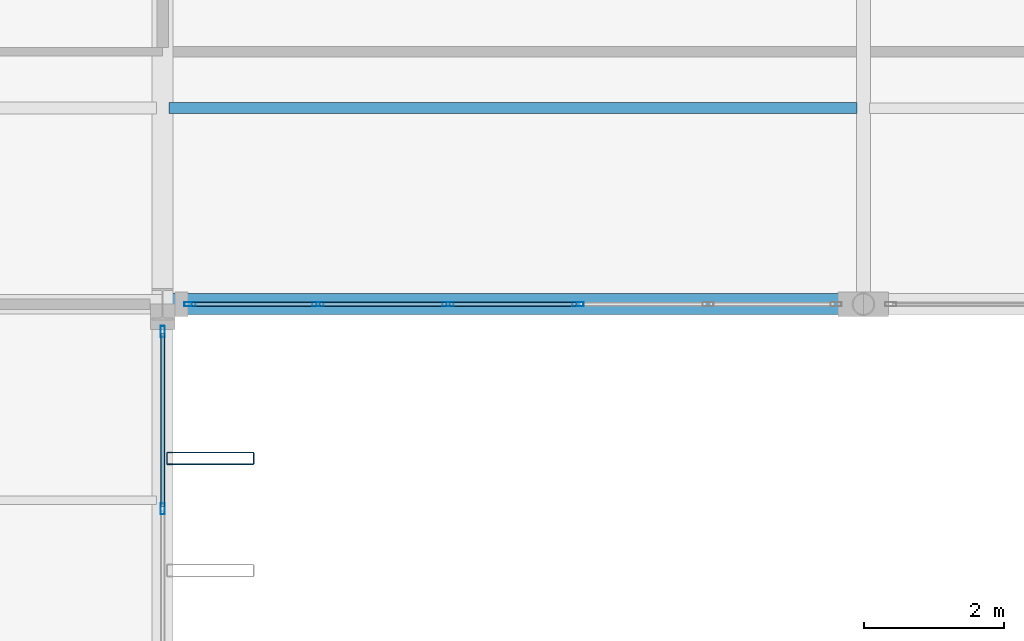
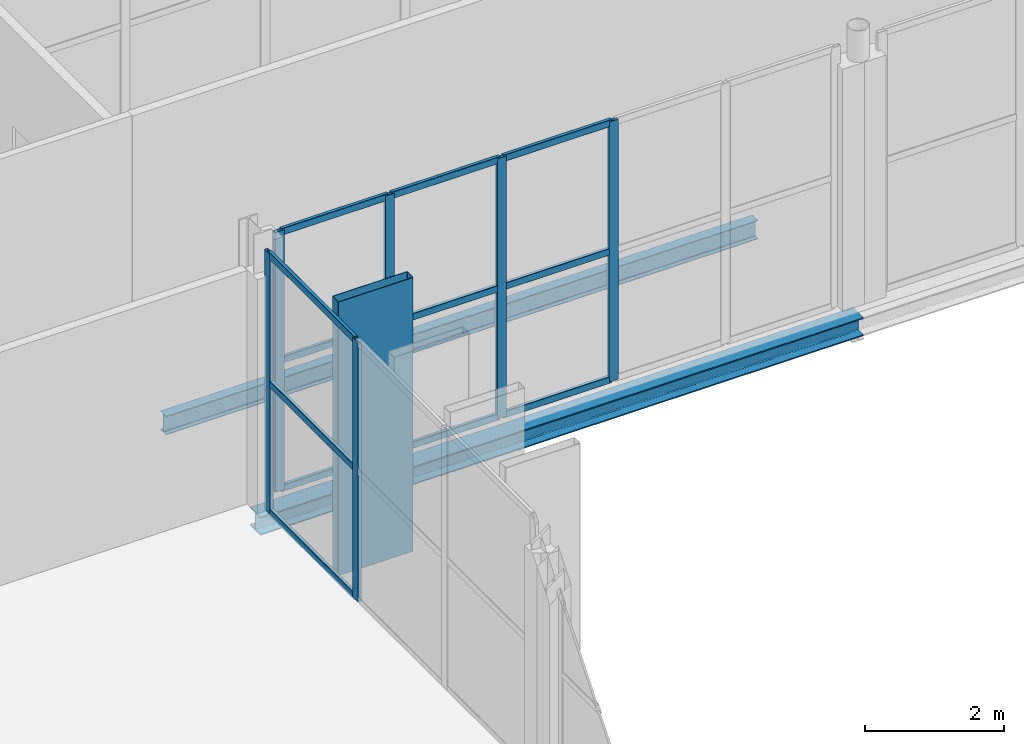
# One storey, part 46 of 120: 19 members, 2 beams, 2 elements without a shape of their own.
"""IFC4 building model written with IfcOpenShell, lengths in metres."""

from ifc_helpers import new_model, si_unit, direction, frame, origin, origin_2d, place, context, subcontext, project, spatial, hollow_rectangle, i_section, extrude, material, layer, layer_set, material_profile, profile_set, type_object, element, aggregate, save


model = new_model("IFC4")

# Units and contexts
model_context = context("Model", 3, precision=1e-05, world=origin(), true_north=direction((0.0, 1.0)))
body_context = subcontext(model_context, "Body", "Model", "MODEL_VIEW")
ifc_project = project(units=[si_unit("LENGTHUNIT", "METRE"), si_unit("AREAUNIT", "SQUARE_METRE"), si_unit("VOLUMEUNIT", "CUBIC_METRE"), si_unit("PLANEANGLEUNIT", "RADIAN"), si_unit("MASSUNIT", "GRAM", prefix="KILO")], contexts=[model_context])

# Site, building, storey
site_placement = place(None, origin())
site = spatial("IfcSite", under=ifc_project, at=site_placement, CompositionType="ELEMENT")
building_placement = place(site_placement, origin())
building = spatial("IfcBuilding", under=site, at=building_placement, Name="Vekula Escarpment Museum", CompositionType="ELEMENT")
storey_placement = place(building_placement, frame((0.0, 0.0, 13.199951171875)))
storey = spatial("IfcBuildingStorey", under=building, at=storey_placement, Name="L03", CompositionType="ELEMENT", Elevation=13.199951171875)

# Beams
ifc_material_1 = material(Name="Steel S355", Category="steel")
ifc_material_profile_1 = material_profile(ifc_material_1, i_section(OverallWidth=0.300048828125, OverallDepth=0.320068359375, WebThickness=0.011474609375, FlangeThickness=0.0205078125, FilletRadius=0.027099609375, at=origin_2d()), Name="HEB 320")
ifc_profile_set_1 = profile_set([ifc_material_profile_1], Name="Steel S355")
beam_type_1 = type_object("IfcBeamType", Name="BM-GIRD-HEB320", PredefinedType="BEAM", material=ifc_profile_set_1)
beam_1_placement = place(storey_placement, frame((126.0, 68.0, -0.409912109375), z_axis=(1.0, 0.0, 0.0), x_axis=(0.0, 1.0, 0.0)))
element("IfcBeam", 1, at=beam_1_placement, inside=storey, type_object=beam_type_1, Name="Beam X L03 1369", PredefinedType="BEAM", context=body_context, shape_type="SweptSolid", body=[
    extrude(i_section(OverallWidth=0.300048828125, OverallDepth=0.320068359375, WebThickness=0.011474609375, FlangeThickness=0.0205078125, FilletRadius=0.027099609375, at=origin_2d()), origin(), (0.0, 0.0, 1.0), 10.0),
])
ifc_material_2 = material(Name="Steel S355", Category="steel")
ifc_material_profile_2 = material_profile(ifc_material_2, i_section(OverallWidth=0.159912109375, OverallDepth=0.330078125, WebThickness=0.007568359375, FlangeThickness=0.011474609375, FilletRadius=0.01806640625, at=origin_2d()), Name="IPE 330")
ifc_profile_set_2 = profile_set([ifc_material_profile_2], Name="Steel S355")
beam_type_2 = type_object("IfcBeamType", Name="BM-JST-IPE330", PredefinedType="JOIST", material=ifc_profile_set_2)
beam_2_placement = place(storey_placement, frame((126.090087890625, 70.800048828125, -0.4150390625), z_axis=(1.0, 0.0, 0.0), x_axis=(0.0, 1.0, 0.0)))
element("IfcBeam", 2, at=beam_2_placement, inside=storey, type_object=beam_type_2, Name="Secondary Joist L03 1074", PredefinedType="JOIST", context=body_context, shape_type="SweptSolid", body=[
    extrude(i_section(OverallWidth=0.159912109375, OverallDepth=0.330078125, WebThickness=0.007568359375, FlangeThickness=0.011474609375, FilletRadius=0.01806640625, at=origin_2d()), origin(), (0.0, 0.0, 1.0), 9.81982421875),
])

# Curtain wall, members
ifc_material_3 = material(Name="Aluminium thermally broken framing", Category="aluminium")
ifc_layer_1 = layer(ifc_material_3, 0.169921875)
ifc_layer_set_1 = layer_set([ifc_layer_1], Name="Aluminium thermally broken framing")
curtain_wall_type_1 = type_object("IfcCurtainWallType", Name="CW-SYS-10", PredefinedType="NOTDEFINED", material=ifc_layer_set_1)
curtain_wall_1_placement = place(storey_placement, origin())
curtain_wall_1 = element("IfcCurtainWall", 3, at=curtain_wall_1_placement, inside=storey, type_object=curtain_wall_type_1, Name="Curtain Wall CW-L03-110", PredefinedType="NOTDEFINED")
ifc_material_4 = material(Name="Aluminium anodized mullion", Category="aluminium")
ifc_material_profile_3 = material_profile(ifc_material_4, hollow_rectangle(XDim=0.06005859375, YDim=0.159912109375, WallThickness=0.00390625, InnerFilletRadius=0.00390625, OuterFilletRadius=0.008056640625, at=origin_2d()), Name="ALU 160x60x4")
ifc_profile_set_3 = profile_set([ifc_material_profile_3], Name="Aluminium anodized mullion")
member_type_1 = type_object("IfcMemberType", Name="CW-MUL-160", PredefinedType="MULLION", material=ifc_profile_set_3)
member_1_placement = place(storey_placement, frame((126.0, 65.080078125, 0.0), z_axis=(0.0, 0.0, 1.0), x_axis=(-1.0, 0.0, 0.0)))
member_1 = element("IfcMember", 4, at=member_1_placement, type_object=member_type_1, Name="CW-10 mullion 3", PredefinedType="MULLION", context=body_context, shape_type="SweptSolid", body=[
    extrude(hollow_rectangle(XDim=0.06005859375, YDim=0.159912109375, WallThickness=0.00390625, InnerFilletRadius=0.00390625, OuterFilletRadius=0.008056640625, at=origin_2d()), origin(), (0.0, 0.0, 1.0), 4.56005859375),
])
member_2_placement = place(storey_placement, frame((126.0, 67.610107421875, 0.0), z_axis=(0.0, 0.0, 1.0), x_axis=(-1.0, 0.0, 0.0)))
member_2 = element("IfcMember", 5, at=member_2_placement, type_object=member_type_1, Name="CW-10 mullion 4", PredefinedType="MULLION", context=body_context, shape_type="SweptSolid", body=[
    extrude(hollow_rectangle(XDim=0.06005859375, YDim=0.159912109375, WallThickness=0.00390625, InnerFilletRadius=0.00390625, OuterFilletRadius=0.008056640625, at=origin_2d()), origin(), (0.0, 0.0, 1.0), 4.56005859375),
])

ifc_material_5 = material(Name="Aluminium thermally broken framing", Category="aluminium")
ifc_layer_2 = layer(ifc_material_5, 0.159912109375)
ifc_layer_set_2 = layer_set([ifc_layer_2], Name="Aluminium thermally broken framing")
curtain_wall_type_2 = type_object("IfcCurtainWallType", Name="CW-SYS-01", PredefinedType="NOTDEFINED", material=ifc_layer_set_2)
curtain_wall_2_placement = place(storey_placement, origin())
curtain_wall_2 = element("IfcCurtainWall", 6, at=curtain_wall_2_placement, inside=storey, type_object=curtain_wall_type_2, Name="Curtain Wall CW-L03-111", PredefinedType="NOTDEFINED")
member_3_placement = place(storey_placement, frame((126.389892578125, 68.0, 0.0), z_axis=(0.0, 0.0, 1.0), x_axis=(0.0, 1.0, 0.0)))
member_3 = element("IfcMember", 7, at=member_3_placement, type_object=member_type_1, Name="CW-01 mullion 1", PredefinedType="MULLION", context=body_context, shape_type="SweptSolid", body=[
    extrude(hollow_rectangle(XDim=0.06005859375, YDim=0.159912109375, WallThickness=0.00390625, InnerFilletRadius=0.00390625, OuterFilletRadius=0.008056640625, at=origin_2d()), origin(), (0.0, 0.0, 1.0), 4.56005859375),
])
member_4_placement = place(storey_placement, frame((128.216064453125, 68.0, 0.0), z_axis=(0.0, 0.0, 1.0), x_axis=(0.0, 1.0, 0.0)))
member_4 = element("IfcMember", 8, at=member_4_placement, type_object=member_type_1, Name="CW-01 mullion 2", PredefinedType="MULLION", context=body_context, shape_type="SweptSolid", body=[
    extrude(hollow_rectangle(XDim=0.06005859375, YDim=0.159912109375, WallThickness=0.00390625, InnerFilletRadius=0.00390625, OuterFilletRadius=0.008056640625, at=origin_2d()), origin(), (0.0, 0.0, 1.0), 4.56005859375),
])
member_5_placement = place(storey_placement, frame((130.072021484375, 68.0, 0.0), z_axis=(0.0, 0.0, 1.0), x_axis=(0.0, 1.0, 0.0)))
member_5 = element("IfcMember", 9, at=member_5_placement, type_object=member_type_1, Name="CW-01 mullion 3", PredefinedType="MULLION", context=body_context, shape_type="SweptSolid", body=[
    extrude(hollow_rectangle(XDim=0.06005859375, YDim=0.159912109375, WallThickness=0.00390625, InnerFilletRadius=0.00390625, OuterFilletRadius=0.008056640625, at=origin_2d()), origin(), (0.0, 0.0, 1.0), 4.56005859375),
])
member_6_placement = place(storey_placement, frame((131.927978515625, 68.0, 0.0), z_axis=(0.0, 0.0, 1.0), x_axis=(0.0, 1.0, 0.0)))
member_6 = element("IfcMember", 10, at=member_6_placement, type_object=member_type_1, Name="CW-01 mullion 4", PredefinedType="MULLION", context=body_context, shape_type="SweptSolid", body=[
    extrude(hollow_rectangle(XDim=0.06005859375, YDim=0.159912109375, WallThickness=0.00390625, InnerFilletRadius=0.00390625, OuterFilletRadius=0.008056640625, at=origin_2d()), origin(), (0.0, 0.0, 1.0), 4.56005859375),
])

# Member
ifc_material_6 = material(Name="Aluminium anodized transom", Category="aluminium")
ifc_material_profile_4 = material_profile(ifc_material_6, hollow_rectangle(XDim=0.06005859375, YDim=0.1201171875, WallThickness=0.00390625, InnerFilletRadius=0.00390625, OuterFilletRadius=0.008056640625, at=origin_2d()), Name="ALU 120x60x4")
ifc_profile_set_4 = profile_set([ifc_material_profile_4], Name="Aluminium anodized transom")
member_type_2 = type_object("IfcMemberType", Name="CW-TRN-120", PredefinedType="USERDEFINED", material=ifc_profile_set_4)
member_7_placement = place(storey_placement, frame((126.0, 65.110107421875, 0.030029296875), z_axis=(0.0, 1.0, 0.0), x_axis=(-1.0, 0.0, 0.0)))
member_7 = element("IfcMember", 11, at=member_7_placement, type_object=member_type_2, Name="CW-10 transom 3.1", ObjectType="TRANSOM", PredefinedType="USERDEFINED", context=body_context, shape_type="SweptSolid", body=[
    extrude(hollow_rectangle(XDim=0.06005859375, YDim=0.1201171875, WallThickness=0.00390625, InnerFilletRadius=0.00390625, OuterFilletRadius=0.008056640625, at=origin_2d()), origin(), (0.0, 0.0, 1.0), 2.469970703125),
])

member_8_placement = place(storey_placement, frame((126.0, 65.110107421875, 2.280029296875), z_axis=(0.0, 1.0, 0.0), x_axis=(-1.0, 0.0, 0.0)))
member_8 = element("IfcMember", 12, at=member_8_placement, type_object=member_type_2, Name="CW-10 transom 3.2", ObjectType="TRANSOM", PredefinedType="USERDEFINED", context=body_context, shape_type="SweptSolid", body=[
    extrude(hollow_rectangle(XDim=0.06005859375, YDim=0.1201171875, WallThickness=0.00390625, InnerFilletRadius=0.00390625, OuterFilletRadius=0.008056640625, at=origin_2d()), origin(), (0.0, 0.0, 1.0), 2.469970703125),
])

member_9_placement = place(storey_placement, frame((126.0, 65.110107421875, 4.530029296875), z_axis=(0.0, 1.0, 0.0), x_axis=(-1.0, 0.0, 0.0)))
member_9 = element("IfcMember", 13, at=member_9_placement, type_object=member_type_2, Name="CW-10 transom 3.3", ObjectType="TRANSOM", PredefinedType="USERDEFINED", context=body_context, shape_type="SweptSolid", body=[
    extrude(hollow_rectangle(XDim=0.06005859375, YDim=0.1201171875, WallThickness=0.00390625, InnerFilletRadius=0.00390625, OuterFilletRadius=0.008056640625, at=origin_2d()), origin(), (0.0, 0.0, 1.0), 2.469970703125),
])

aggregate(curtain_wall_1, [member_1, member_2, member_7, member_8, member_9])

member_10_placement = place(storey_placement, frame((126.419921875, 68.0, 0.030029296875), z_axis=(1.0, 0.0, 0.0), x_axis=(0.0, 1.0, 0.0)))
member_10 = element("IfcMember", 14, at=member_10_placement, type_object=member_type_2, Name="CW-01 transom 1.1", ObjectType="TRANSOM", PredefinedType="USERDEFINED", context=body_context, shape_type="SweptSolid", body=[
    extrude(hollow_rectangle(XDim=0.06005859375, YDim=0.1201171875, WallThickness=0.00390625, InnerFilletRadius=0.00390625, OuterFilletRadius=0.008056640625, at=origin_2d()), origin(), (0.0, 0.0, 1.0), 1.76611328125),
])

member_11_placement = place(storey_placement, frame((126.419921875, 68.0, 2.280029296875), z_axis=(1.0, 0.0, 0.0), x_axis=(0.0, 1.0, 0.0)))
member_11 = element("IfcMember", 15, at=member_11_placement, type_object=member_type_2, Name="CW-01 transom 1.2", ObjectType="TRANSOM", PredefinedType="USERDEFINED", context=body_context, shape_type="SweptSolid", body=[
    extrude(hollow_rectangle(XDim=0.06005859375, YDim=0.1201171875, WallThickness=0.00390625, InnerFilletRadius=0.00390625, OuterFilletRadius=0.008056640625, at=origin_2d()), origin(), (0.0, 0.0, 1.0), 1.76611328125),
])

member_12_placement = place(storey_placement, frame((126.419921875, 68.0, 4.530029296875), z_axis=(1.0, 0.0, 0.0), x_axis=(0.0, 1.0, 0.0)))
member_12 = element("IfcMember", 16, at=member_12_placement, type_object=member_type_2, Name="CW-01 transom 1.3", ObjectType="TRANSOM", PredefinedType="USERDEFINED", context=body_context, shape_type="SweptSolid", body=[
    extrude(hollow_rectangle(XDim=0.06005859375, YDim=0.1201171875, WallThickness=0.00390625, InnerFilletRadius=0.00390625, OuterFilletRadius=0.008056640625, at=origin_2d()), origin(), (0.0, 0.0, 1.0), 1.76611328125),
])

member_13_placement = place(storey_placement, frame((128.24609375, 68.0, 0.030029296875), z_axis=(1.0, 0.0, 0.0), x_axis=(0.0, 1.0, 0.0)))
member_13 = element("IfcMember", 17, at=member_13_placement, type_object=member_type_2, Name="CW-01 transom 2.1", ObjectType="TRANSOM", PredefinedType="USERDEFINED", context=body_context, shape_type="SweptSolid", body=[
    extrude(hollow_rectangle(XDim=0.06005859375, YDim=0.1201171875, WallThickness=0.00390625, InnerFilletRadius=0.00390625, OuterFilletRadius=0.008056640625, at=origin_2d()), origin(), (0.0, 0.0, 1.0), 1.7958984375),
])

member_14_placement = place(storey_placement, frame((128.24609375, 68.0, 2.280029296875), z_axis=(1.0, 0.0, 0.0), x_axis=(0.0, 1.0, 0.0)))
member_14 = element("IfcMember", 18, at=member_14_placement, type_object=member_type_2, Name="CW-01 transom 2.2", ObjectType="TRANSOM", PredefinedType="USERDEFINED", context=body_context, shape_type="SweptSolid", body=[
    extrude(hollow_rectangle(XDim=0.06005859375, YDim=0.1201171875, WallThickness=0.00390625, InnerFilletRadius=0.00390625, OuterFilletRadius=0.008056640625, at=origin_2d()), origin(), (0.0, 0.0, 1.0), 1.7958984375),
])

member_15_placement = place(storey_placement, frame((128.24609375, 68.0, 4.530029296875), z_axis=(1.0, 0.0, 0.0), x_axis=(0.0, 1.0, 0.0)))
member_15 = element("IfcMember", 19, at=member_15_placement, type_object=member_type_2, Name="CW-01 transom 2.3", ObjectType="TRANSOM", PredefinedType="USERDEFINED", context=body_context, shape_type="SweptSolid", body=[
    extrude(hollow_rectangle(XDim=0.06005859375, YDim=0.1201171875, WallThickness=0.00390625, InnerFilletRadius=0.00390625, OuterFilletRadius=0.008056640625, at=origin_2d()), origin(), (0.0, 0.0, 1.0), 1.7958984375),
])

member_16_placement = place(storey_placement, frame((130.10205078125, 68.0, 0.030029296875), z_axis=(1.0, 0.0, 0.0), x_axis=(0.0, 1.0, 0.0)))
member_16 = element("IfcMember", 20, at=member_16_placement, type_object=member_type_2, Name="CW-01 transom 3.1", ObjectType="TRANSOM", PredefinedType="USERDEFINED", context=body_context, shape_type="SweptSolid", body=[
    extrude(hollow_rectangle(XDim=0.06005859375, YDim=0.1201171875, WallThickness=0.00390625, InnerFilletRadius=0.00390625, OuterFilletRadius=0.008056640625, at=origin_2d()), origin(), (0.0, 0.0, 1.0), 1.7958984375),
])

member_17_placement = place(storey_placement, frame((130.10205078125, 68.0, 2.280029296875), z_axis=(1.0, 0.0, 0.0), x_axis=(0.0, 1.0, 0.0)))
member_17 = element("IfcMember", 21, at=member_17_placement, type_object=member_type_2, Name="CW-01 transom 3.2", ObjectType="TRANSOM", PredefinedType="USERDEFINED", context=body_context, shape_type="SweptSolid", body=[
    extrude(hollow_rectangle(XDim=0.06005859375, YDim=0.1201171875, WallThickness=0.00390625, InnerFilletRadius=0.00390625, OuterFilletRadius=0.008056640625, at=origin_2d()), origin(), (0.0, 0.0, 1.0), 1.7958984375),
])

member_18_placement = place(storey_placement, frame((130.10205078125, 68.0, 4.530029296875), z_axis=(1.0, 0.0, 0.0), x_axis=(0.0, 1.0, 0.0)))
member_18 = element("IfcMember", 22, at=member_18_placement, type_object=member_type_2, Name="CW-01 transom 3.3", ObjectType="TRANSOM", PredefinedType="USERDEFINED", context=body_context, shape_type="SweptSolid", body=[
    extrude(hollow_rectangle(XDim=0.06005859375, YDim=0.1201171875, WallThickness=0.00390625, InnerFilletRadius=0.00390625, OuterFilletRadius=0.008056640625, at=origin_2d()), origin(), (0.0, 0.0, 1.0), 1.7958984375),
])

aggregate(curtain_wall_2, [member_3, member_4, member_5, member_6, member_10, member_11, member_12, member_13, member_14, member_15, member_16, member_17, member_18])

ifc_material_7 = material(Name="Steel S355 weathered bronze solar fin", Category="steel")
ifc_material_profile_5 = material_profile(ifc_material_7, hollow_rectangle(XDim=0.179931640625, YDim=1.25, WallThickness=0.010009765625, InnerFilletRadius=0.010009765625, OuterFilletRadius=0.02001953125, at=origin_2d()), Name="RHS 1250x180x10")
ifc_profile_set_5 = profile_set([ifc_material_profile_5], Name="Steel S355 weathered bronze solar fin")
member_type_3 = type_object("IfcMemberType", Name="MB-SOLAR-FIN", PredefinedType="USERDEFINED", material=ifc_profile_set_5)
member_19_placement = place(storey_placement, frame((126.679931640625, 65.800048828125, 0.0), z_axis=(0.0, 0.0, 1.0), x_axis=(0.0, 1.0, 0.0)))
element("IfcMember", 23, at=member_19_placement, inside=storey, type_object=member_type_3, Name="Great Hall Vertical Solar Fin 0383", ObjectType="SOLAR FIN", PredefinedType="USERDEFINED", context=body_context, shape_type="SweptSolid", body=[
    extrude(hollow_rectangle(XDim=0.179931640625, YDim=1.25, WallThickness=0.010009765625, InnerFilletRadius=0.010009765625, OuterFilletRadius=0.02001953125, at=origin_2d()), origin(), (0.0, 0.0, 1.0), 4.800048828125),
])

save(model, "model.ifc")
